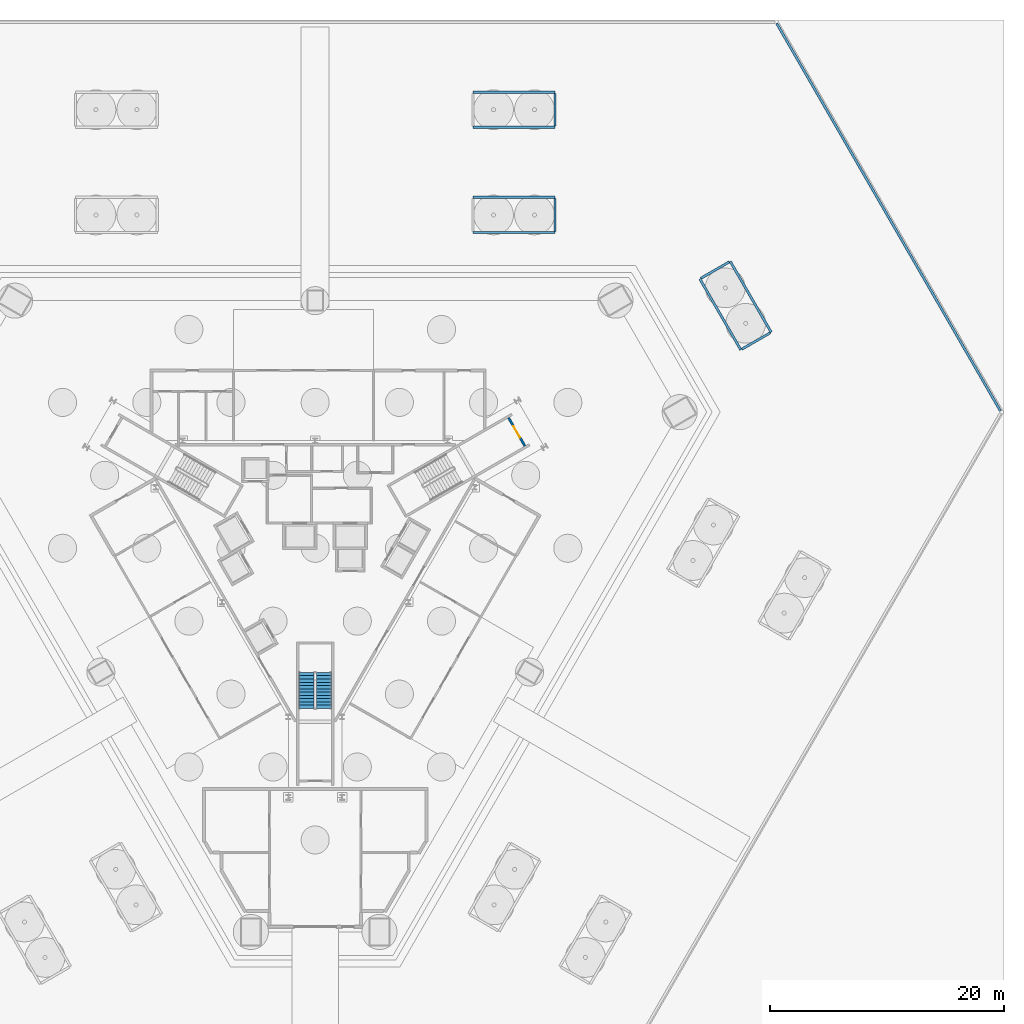
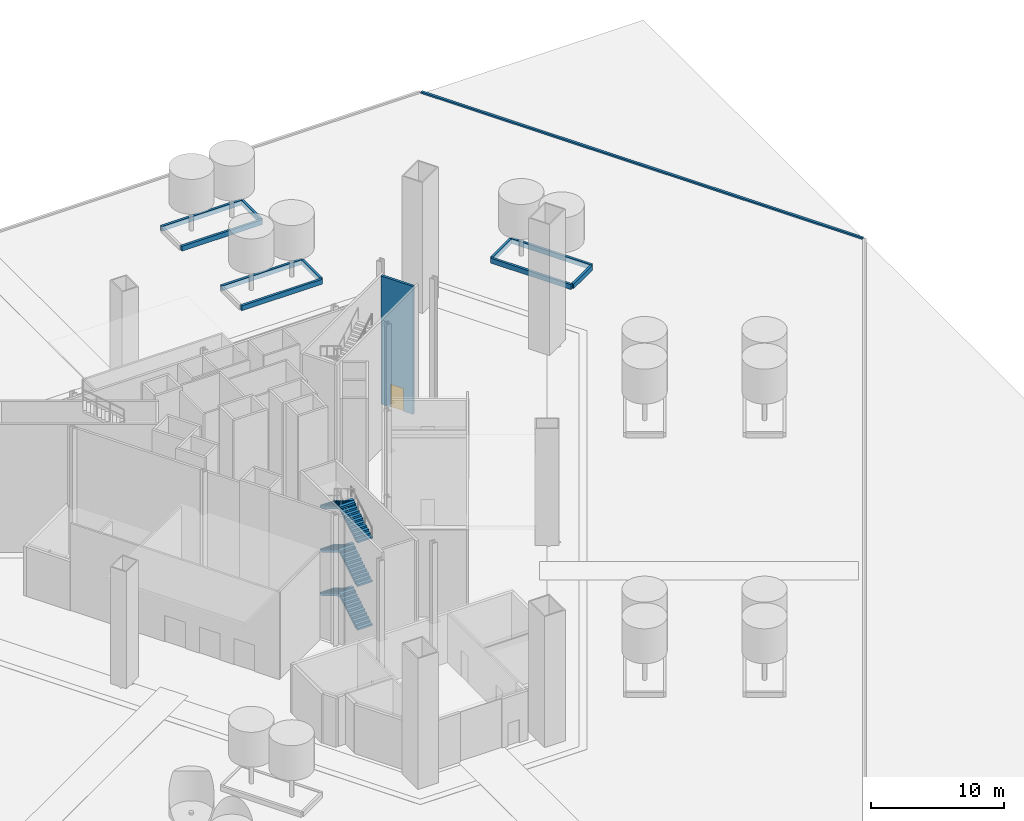
# One storey, part 12 of 22: 12 walls, 6 stair flights, 1 door, 1 opening, 1 element without a shape of its own.
"""IFC4 building model written with IfcOpenShell, lengths in metres."""

from ifc_helpers import new_model, si_unit, direction, frame, frame_2d, origin, place, context, subcontext, project, spatial, polyline, rectangle, outline, extrude, material, layer, layer_set, type_object, element, fill, aggregate, save


model = new_model("IFC4")

# Units and contexts
model_context = context("Model", 3, precision=1e-05, world=origin(), true_north=direction((0.0, 1.0)))
body_context = subcontext(model_context, "Body", "Model", "MODEL_VIEW")
ifc_project = project(units=[si_unit("LENGTHUNIT", "METRE"), si_unit("AREAUNIT", "SQUARE_METRE"), si_unit("VOLUMEUNIT", "CUBIC_METRE"), si_unit("PLANEANGLEUNIT", "RADIAN"), si_unit("MASSUNIT", "GRAM", prefix="KILO")], contexts=[model_context])

# Site, building, storey
site_placement = place(None, origin())
site = spatial("IfcSite", under=ifc_project, at=site_placement, CompositionType="ELEMENT")
building_placement = place(site_placement, origin())
building = spatial("IfcBuilding", under=site, at=building_placement, Name="Verrane Prism Tower", CompositionType="ELEMENT")
storey_placement = place(building_placement, origin())
storey = spatial("IfcBuildingStorey", under=building, at=storey_placement, Name="L00", CompositionType="ELEMENT", Elevation=0.0)

# Wall, opening, door
ifc_material_1 = material(Name="Concrete C40/50", Category="concrete")
ifc_layer_1 = layer(ifc_material_1, 0.199951171875)
ifc_layer_set_1 = layer_set([ifc_layer_1], Name="CW-200 stair core wall concrete C40/50 3 h")
wall_type_1 = type_object("IfcWallType", Name="CW-200 stair core wall concrete C40/50 3 h", PredefinedType="PARTITIONING", material=ifc_layer_set_1)
wall_1_placement = place(storey_placement, frame((17.933837890625, 8.737548828125, 0.0), z_axis=(0.0, 0.0, 1.0), x_axis=(-0.49998411664, 0.866034573852, 0.0)))
wall_1 = element("IfcWall", 1, at=wall_1_placement, inside=storey, type_object=wall_type_1, Name="Stair 1 enclosure wall", PredefinedType="PARTITIONING", context=body_context, shape_type="SweptSolid", body=[
    extrude(rectangle(XDim=2.7998046875, YDim=0.199951171875, at=frame_2d((1.39990234375, 0.0))), origin(), (0.0, 0.0, 1.0), 11.75),
])
opening_placement = place(wall_1_placement, frame((0.849853515625, 0.0, 0.0)))
opening = element("IfcOpeningElement", 2, at=opening_placement, cuts=wall_1, Name="Opening D00500", PredefinedType="OPENING", context=body_context, shape_type="SweptSolid", body=[
    extrude(rectangle(XDim=1.10009765625, YDim=2.10009765625, at=frame_2d((0.550048828125, 1.050048828125))), frame((0.0, 0.10986328125, 0.0), z_axis=(0.0, -1.0, 0.0), x_axis=(1.0, 0.0, 0.0)), (0.0, 0.0, 1.0), 0.219970703125),
])
ifc_material_2 = material(Name="Timber veneered door leaf", Category="wood")
door_type = type_object("IfcDoorType", Name="DR-1100x2100 FD90 single leaf stair", OperationType="NOTDEFINED", PredefinedType="DOOR", material=ifc_material_2)
door_placement = place(opening_placement, frame((1.10009765625, 0.0, 0.0), z_axis=(0.0, 0.0, 1.0), x_axis=(-1.0, 0.0, 0.0)))
door = element("IfcDoor", 3, at=door_placement, inside=storey, type_object=door_type, Name="Stair 1 door", OperationType="SINGLE_SWING_LEFT", OverallHeight=2.10009765625, OverallWidth=1.10009765625, PredefinedType="DOOR", context=body_context, shape_type="SweptSolid", body=[
    extrude(rectangle(XDim=1.10009765625, YDim=2.10009765625, at=frame_2d((0.550048828125, 1.050048828125))), frame((0.0, 0.02490234375, 0.0), z_axis=(0.0, -1.0, 0.0), x_axis=(1.0, 0.0, 0.0)), (0.0, 0.0, 1.0), 0.050048828125),
])
fill(opening, door)

# Walls
ifc_material_3 = material(Name="Granite kerb on concrete C25/30", Category="masonry")
ifc_layer_2 = layer(ifc_material_3, 0.199951171875)
ifc_layer_set_2 = layer_set([ifc_layer_2], Name="KB-200 granite kerb")
wall_type_2 = type_object("IfcWallType", Name="KB-200 granite kerb", PredefinedType="SOLIDWALL", material=ifc_layer_set_2)
wall_2_placement = place(storey_placement, frame((58.599365234375, 11.730224609375, 0.0), z_axis=(0.0, 0.0, 1.0), x_axis=(-0.499998661669, 0.866026176469, 0.0)))
element("IfcWall", 4, at=wall_2_placement, inside=storey, type_object=wall_type_2, Name="Plaza kerb 6", PredefinedType="SOLIDWALL", context=body_context, shape_type="SweptSolid", body=[
    extrude(rectangle(XDim=38.28173828125, YDim=0.199951171875, at=frame_2d((19.140869140625, 0.0))), origin(), (0.0, 0.0, 1.0), 0.14990234375),
])
for number, where, z_axis, x_axis, name in (
    (5, (20.5, 27.0, 0.0), (0.0, 0.0, 1.0), (-1.0, 0.0, 0.0), "Bed kerb 1.1"),
    (6, (13.5, 30.0, 0.0), (0.0, 0.0, 1.0), (1.0, 0.0, 0.0), "Bed kerb 1.2"),
):
    element("IfcWall", number, at=place(storey_placement, frame(where, z_axis=z_axis, x_axis=x_axis)), inside=storey, type_object=wall_type_2, Name=name, PredefinedType="SOLIDWALL", context=body_context, shape_type="SweptSolid", body=[
        extrude(rectangle(XDim=7.0, YDim=0.199951171875, at=frame_2d((3.5, 0.0))), origin(), (0.0, 0.0, 1.0), 0.449951171875),
    ])
wall_3_placement = place(storey_placement, frame((20.5, 29.89990234375, 0.0), z_axis=(0.0, 0.0, 1.0), x_axis=(0.0, -1.0, 0.0)))
element("IfcWall", 7, at=wall_3_placement, inside=storey, type_object=wall_type_2, Name="Bed kerb 1.4", PredefinedType="SOLIDWALL", context=body_context, shape_type="SweptSolid", body=[
    extrude(rectangle(XDim=2.7998046875, YDim=0.199951171875, at=frame_2d((1.39990234375, 0.0))), origin(), (0.0, 0.0, 1.0), 0.449951171875),
])
for number, where, z_axis, x_axis, name in (
    (8, (20.5, 36.0, 0.0), (0.0, 0.0, 1.0), (-1.0, 0.0, 0.0), "Bed kerb 3.1"),
    (9, (13.5, 39.0, 0.0), (0.0, 0.0, 1.0), (1.0, 0.0, 0.0), "Bed kerb 3.2"),
):
    element("IfcWall", number, at=place(storey_placement, frame(where, z_axis=z_axis, x_axis=x_axis)), inside=storey, type_object=wall_type_2, Name=name, PredefinedType="SOLIDWALL", context=body_context, shape_type="SweptSolid", body=[
        extrude(rectangle(XDim=7.0, YDim=0.199951171875, at=frame_2d((3.5, 0.0))), origin(), (0.0, 0.0, 1.0), 0.449951171875),
    ])
wall_4_placement = place(storey_placement, frame((20.5, 38.89990234375, 0.0), z_axis=(0.0, 0.0, 1.0), x_axis=(0.0, -1.0, 0.0)))
element("IfcWall", 10, at=wall_4_placement, inside=storey, type_object=wall_type_2, Name="Bed kerb 3.4", PredefinedType="SOLIDWALL", context=body_context, shape_type="SweptSolid", body=[
    extrude(rectangle(XDim=2.7998046875, YDim=0.199951171875, at=frame_2d((1.39990234375, 0.0))), origin(), (0.0, 0.0, 1.0), 0.449951171875),
])
for number, where, z_axis, x_axis, name in (
    (11, (36.39111328125, 16.968994140625, 0.0), (0.0, 0.0, 1.0), (-0.500010275428, 0.866019471182, 0.0), "Bed kerb 13.1"),
    (12, (35.489013671875, 24.531005859375, 0.0), (0.0, 0.0, 1.0), (0.500010275428, -0.866019471182, 0.0), "Bed kerb 13.2"),
):
    element("IfcWall", number, at=place(storey_placement, frame(where, z_axis=z_axis, x_axis=x_axis)), inside=storey, type_object=wall_type_2, Name=name, PredefinedType="SOLIDWALL", context=body_context, shape_type="SweptSolid", body=[
        extrude(rectangle(XDim=6.999755859375, YDim=0.199951171875, at=frame_2d((3.5, 0.0))), origin(), (0.0, 0.0, 1.0), 0.449951171875),
    ])
for number, where, z_axis, x_axis, name in (
    (13, (32.9775390625, 23.0810546875, 0.0), (0.0, 0.0, 1.0), (0.866018616679, 0.500011755427, 0.0), "Bed kerb 13.3"),
    (14, (38.902587890625, 18.4189453125, 0.0), (0.0, 0.0, 1.0), (-0.866018616679, -0.500011755427, 0.0), "Bed kerb 13.4"),
):
    element("IfcWall", number, at=place(storey_placement, frame(where, z_axis=z_axis, x_axis=x_axis)), inside=storey, type_object=wall_type_2, Name=name, PredefinedType="SOLIDWALL", context=body_context, shape_type="SweptSolid", body=[
        extrude(rectangle(XDim=2.80029296875, YDim=0.199951171875, at=frame_2d((1.400146484375, 0.0))), origin(), (0.0, 0.0, 1.0), 0.449951171875),
    ])

# Stair, stair flights
ifc_material_4 = material(Name="Concrete C40/50", Category="concrete")
stair_type = type_object("IfcStairType", Name="Exit stair 1300 dog-leg precast concrete C40/50", PredefinedType="HALF_TURN_STAIR", material=ifc_material_4)
stair_placement = place(storey_placement, origin())
stair = element("IfcStair", 15, at=stair_placement, inside=storey, type_object=stair_type, Name="Stair 3 L00", PredefinedType="HALF_TURN_STAIR")
ifc_material_5 = material(Name="Concrete C40/50", Category="concrete")
stair_flight_type = type_object("IfcStairFlightType", Name="Stair flight 1300 precast concrete C40/50", PredefinedType="STRAIGHT", material=ifc_material_5)
stair_flight_1_placement = place(storey_placement, frame((0.75, -13.699951171875, 0.0), z_axis=(0.0, 0.0, 1.0), x_axis=(0.0, 1.0, 0.0)))
stair_flight_1 = element("IfcStairFlight", 16, at=stair_flight_1_placement, type_object=stair_flight_type, Name="Stair 3 flight 1", NumberOfRisers=12, NumberOfTreads=11, PredefinedType="STRAIGHT", RiserHeight=0.166666667, TreadLength=0.28, context=body_context, shape_type="SweptSolid", body=[
    extrude(outline(polyline([(0.0, 0.0), (0.0, 0.166748046875), (0.280029296875, 0.166748046875), (0.280029296875, 0.333251953125), (0.56005859375, 0.333251953125), (0.56005859375, 0.5), (0.840087890625, 0.5), (0.840087890625, 0.666748046875), (1.1201171875, 0.666748046875), (1.1201171875, 0.833251953125), (1.39990234375, 0.833251953125), (1.39990234375, 1.0), (1.679931640625, 1.0), (1.679931640625, 1.166748046875), (1.9599609375, 1.166748046875), (1.9599609375, 1.333251953125), (2.239990234375, 1.333251953125), (2.239990234375, 1.5), (2.52001953125, 1.5), (2.52001953125, 1.666748046875), (2.800048828125, 1.666748046875), (2.800048828125, 1.833251953125), (3.080078125, 1.833251953125), (3.080078125, 2.0), (3.080078125, 1.658935546875), (0.29296875, 0.0), (0.0, 0.0)])), frame((0.0, 0.64990234375, 0.0), z_axis=(0.0, -1.0, 0.0), x_axis=(1.0, 0.0, 0.0)), (0.0, 0.0, 1.0), 1.300048828125),
])
stair_flight_2_placement = place(storey_placement, frame((-0.75, -10.6201171875, 2.0), z_axis=(0.0, 0.0, 1.0), x_axis=(0.0, -1.0, 0.0)))
stair_flight_2 = element("IfcStairFlight", 17, at=stair_flight_2_placement, type_object=stair_flight_type, Name="Stair 3 flight 2", NumberOfRisers=12, NumberOfTreads=11, PredefinedType="STRAIGHT", RiserHeight=0.166666667, TreadLength=0.28, context=body_context, shape_type="SweptSolid", body=[
    extrude(outline(polyline([(0.0, 0.0), (0.0, 0.166748046875), (0.280029296875, 0.166748046875), (0.280029296875, 0.333251953125), (0.56005859375, 0.333251953125), (0.56005859375, 0.5), (0.840087890625, 0.5), (0.840087890625, 0.666748046875), (1.1201171875, 0.666748046875), (1.1201171875, 0.833251953125), (1.39990234375, 0.833251953125), (1.39990234375, 1.0), (1.679931640625, 1.0), (1.679931640625, 1.166748046875), (1.9599609375, 1.166748046875), (1.9599609375, 1.333251953125), (2.239990234375, 1.333251953125), (2.239990234375, 1.5), (2.52001953125, 1.5), (2.52001953125, 1.666748046875), (2.800048828125, 1.666748046875), (2.800048828125, 1.833251953125), (3.080078125, 1.833251953125), (3.080078125, 2.0), (3.080078125, 1.658935546875), (0.29296875, 0.0), (0.0, 0.0)])), frame((0.0, 0.64990234375, 0.0), z_axis=(0.0, -1.0, 0.0), x_axis=(1.0, 0.0, 0.0)), (0.0, 0.0, 1.0), 1.300048828125),
])
stair_flight_3_placement = place(storey_placement, frame((0.75, -13.699951171875, 4.0), z_axis=(0.0, 0.0, 1.0), x_axis=(0.0, 1.0, 0.0)))
stair_flight_3 = element("IfcStairFlight", 18, at=stair_flight_3_placement, type_object=stair_flight_type, Name="Stair 3 flight 3", NumberOfRisers=12, NumberOfTreads=11, PredefinedType="STRAIGHT", RiserHeight=0.166666667, TreadLength=0.28, context=body_context, shape_type="SweptSolid", body=[
    extrude(outline(polyline([(0.0, 0.0), (0.0, 0.166748046875), (0.280029296875, 0.166748046875), (0.280029296875, 0.333251953125), (0.56005859375, 0.333251953125), (0.56005859375, 0.5), (0.840087890625, 0.5), (0.840087890625, 0.666748046875), (1.1201171875, 0.666748046875), (1.1201171875, 0.833251953125), (1.39990234375, 0.833251953125), (1.39990234375, 1.0), (1.679931640625, 1.0), (1.679931640625, 1.166748046875), (1.9599609375, 1.166748046875), (1.9599609375, 1.333251953125), (2.239990234375, 1.333251953125), (2.239990234375, 1.5), (2.52001953125, 1.5), (2.52001953125, 1.666748046875), (2.800048828125, 1.666748046875), (2.800048828125, 1.833251953125), (3.080078125, 1.833251953125), (3.080078125, 2.0), (3.080078125, 1.658935546875), (0.29296875, 0.0), (0.0, 0.0)])), frame((0.0, 0.64990234375, 0.0), z_axis=(0.0, -1.0, 0.0), x_axis=(1.0, 0.0, 0.0)), (0.0, 0.0, 1.0), 1.300048828125),
])
stair_flight_4_placement = place(storey_placement, frame((-0.75, -10.6201171875, 6.0), z_axis=(0.0, 0.0, 1.0), x_axis=(0.0, -1.0, 0.0)))
stair_flight_4 = element("IfcStairFlight", 19, at=stair_flight_4_placement, type_object=stair_flight_type, Name="Stair 3 flight 4", NumberOfRisers=12, NumberOfTreads=11, PredefinedType="STRAIGHT", RiserHeight=0.166666667, TreadLength=0.28, context=body_context, shape_type="SweptSolid", body=[
    extrude(outline(polyline([(0.0, 0.0), (0.0, 0.166748046875), (0.280029296875, 0.166748046875), (0.280029296875, 0.333251953125), (0.56005859375, 0.333251953125), (0.56005859375, 0.5), (0.840087890625, 0.5), (0.840087890625, 0.666748046875), (1.1201171875, 0.666748046875), (1.1201171875, 0.833251953125), (1.39990234375, 0.833251953125), (1.39990234375, 1.0), (1.679931640625, 1.0), (1.679931640625, 1.166748046875), (1.9599609375, 1.166748046875), (1.9599609375, 1.333251953125), (2.239990234375, 1.333251953125), (2.239990234375, 1.5), (2.52001953125, 1.5), (2.52001953125, 1.666748046875), (2.800048828125, 1.666748046875), (2.800048828125, 1.833251953125), (3.080078125, 1.833251953125), (3.080078125, 2.0), (3.080078125, 1.658935546875), (0.29296875, 0.0), (0.0, 0.0)])), frame((0.0, 0.64990234375, 0.0), z_axis=(0.0, -1.0, 0.0), x_axis=(1.0, 0.0, 0.0)), (0.0, 0.0, 1.0), 1.300048828125),
])
stair_flight_5_placement = place(storey_placement, frame((0.75, -13.699951171875, 8.0), z_axis=(0.0, 0.0, 1.0), x_axis=(0.0, 1.0, 0.0)))
stair_flight_5 = element("IfcStairFlight", 20, at=stair_flight_5_placement, type_object=stair_flight_type, Name="Stair 3 flight 5", NumberOfRisers=12, NumberOfTreads=11, PredefinedType="STRAIGHT", RiserHeight=0.166666667, TreadLength=0.28, context=body_context, shape_type="SweptSolid", body=[
    extrude(outline(polyline([(0.0, 0.0), (0.0, 0.166748046875), (0.280029296875, 0.166748046875), (0.280029296875, 0.333251953125), (0.56005859375, 0.333251953125), (0.56005859375, 0.5), (0.840087890625, 0.5), (0.840087890625, 0.666748046875), (1.1201171875, 0.666748046875), (1.1201171875, 0.833251953125), (1.39990234375, 0.833251953125), (1.39990234375, 1.0), (1.679931640625, 1.0), (1.679931640625, 1.166748046875), (1.9599609375, 1.166748046875), (1.9599609375, 1.333251953125), (2.239990234375, 1.333251953125), (2.239990234375, 1.5), (2.52001953125, 1.5), (2.52001953125, 1.666748046875), (2.800048828125, 1.666748046875), (2.800048828125, 1.833251953125), (3.080078125, 1.833251953125), (3.080078125, 2.0), (3.080078125, 1.658935546875), (0.29296875, 0.0), (0.0, 0.0)])), frame((0.0, 0.64990234375, 0.0), z_axis=(0.0, -1.0, 0.0), x_axis=(1.0, 0.0, 0.0)), (0.0, 0.0, 1.0), 1.300048828125),
])
stair_flight_6_placement = place(storey_placement, frame((-0.75, -10.6201171875, 10.0), z_axis=(0.0, 0.0, 1.0), x_axis=(0.0, -1.0, 0.0)))
stair_flight_6 = element("IfcStairFlight", 21, at=stair_flight_6_placement, type_object=stair_flight_type, Name="Stair 3 flight 6", NumberOfRisers=12, NumberOfTreads=11, PredefinedType="STRAIGHT", RiserHeight=0.166666667, TreadLength=0.28, context=body_context, shape_type="SweptSolid", body=[
    extrude(outline(polyline([(0.0, 0.0), (0.0, 0.166748046875), (0.280029296875, 0.166748046875), (0.280029296875, 0.333251953125), (0.56005859375, 0.333251953125), (0.56005859375, 0.5), (0.840087890625, 0.5), (0.840087890625, 0.666748046875), (1.1201171875, 0.666748046875), (1.1201171875, 0.833251953125), (1.39990234375, 0.833251953125), (1.39990234375, 1.0), (1.679931640625, 1.0), (1.679931640625, 1.166748046875), (1.9599609375, 1.166748046875), (1.9599609375, 1.333251953125), (2.239990234375, 1.333251953125), (2.239990234375, 1.5), (2.52001953125, 1.5), (2.52001953125, 1.666748046875), (2.800048828125, 1.666748046875), (2.800048828125, 1.833251953125), (3.080078125, 1.833251953125), (3.080078125, 2.0), (3.080078125, 1.658935546875), (0.29296875, 0.0), (0.0, 0.0)])), frame((0.0, 0.64990234375, 0.0), z_axis=(0.0, -1.0, 0.0), x_axis=(1.0, 0.0, 0.0)), (0.0, 0.0, 1.0), 1.300048828125),
])
aggregate(stair, [stair_flight_1, stair_flight_2, stair_flight_3, stair_flight_4, stair_flight_5, stair_flight_6])

save(model, "model.ifc")
